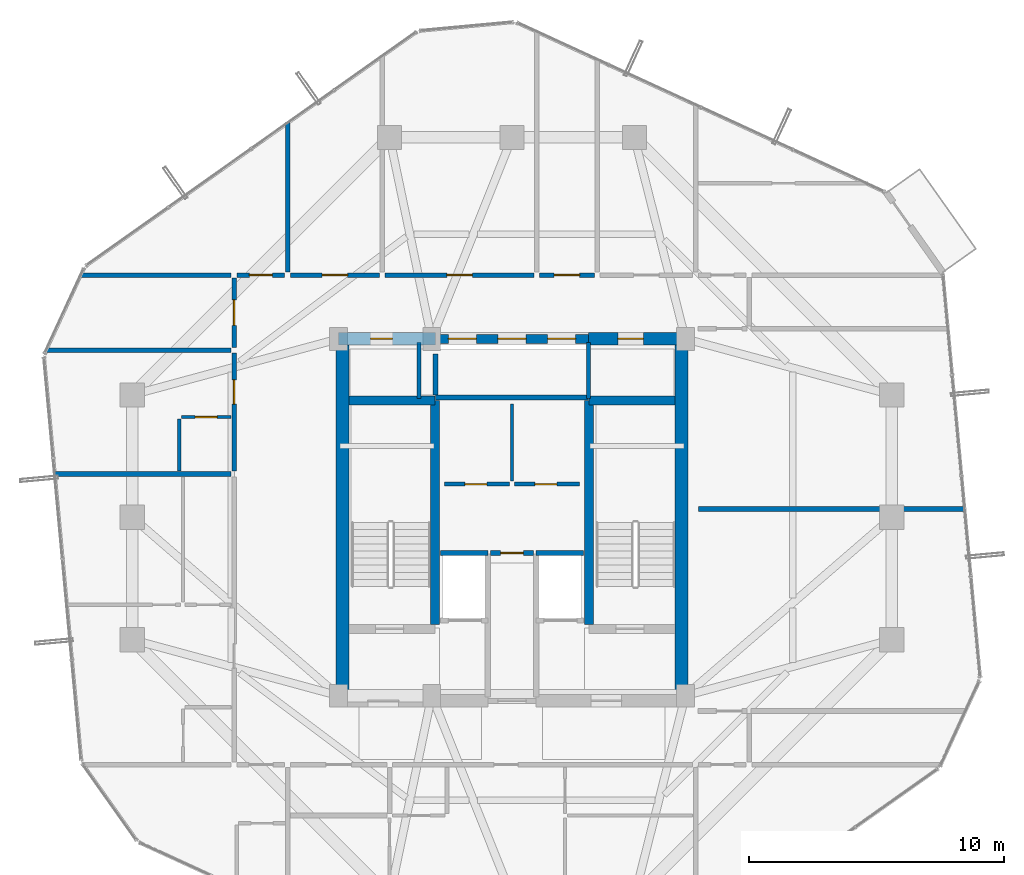
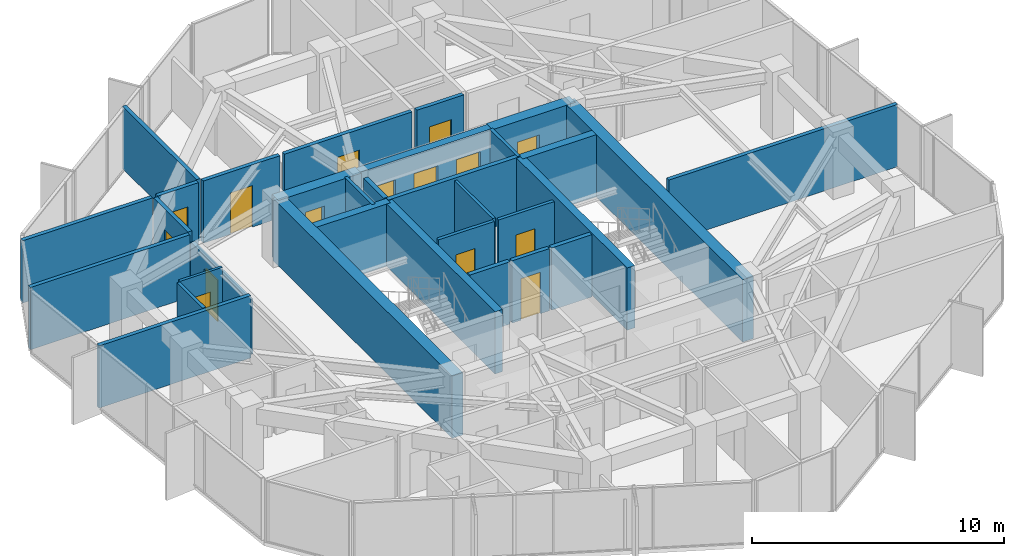
# One storey, part 29 of 32: 32 walls, 15 doors, 15 openings.
"""IFC4 building model written with IfcOpenShell, lengths in metres."""

from ifc_helpers import new_model, si_unit, direction, frame, frame_2d, origin, place, context, subcontext, project, spatial, rectangle, extrude, source, transform, mapped, material, layer, layer_set, type_object, element, fill, save


model = new_model("IFC4")

# Units and contexts
model_context = context("Model", 3, precision=1e-05, world=origin(), true_north=direction((0.0, 1.0)))
body_context = subcontext(model_context, "Body", "Model", "MODEL_VIEW")
ifc_project = project(units=[si_unit("LENGTHUNIT", "METRE"), si_unit("AREAUNIT", "SQUARE_METRE"), si_unit("VOLUMEUNIT", "CUBIC_METRE"), si_unit("PLANEANGLEUNIT", "RADIAN"), si_unit("MASSUNIT", "GRAM", prefix="KILO")], contexts=[model_context])

# Site, building, storey
site_placement = place(None, origin())
site = spatial("IfcSite", under=ifc_project, at=site_placement, CompositionType="ELEMENT")
building_placement = place(site_placement, origin())
building = spatial("IfcBuilding", under=site, at=building_placement, Name="Veraguas Prism Commons", CompositionType="ELEMENT")
storey_placement = place(building_placement, frame((0.0, 0.0, 188.60009765625)))
storey = spatial("IfcBuildingStorey", under=building, at=storey_placement, Name="L53", CompositionType="ELEMENT", Elevation=188.60009765625)

# Wall, openings, doors
ifc_material_1 = material(Name="Concrete C50/60", Category="concrete")
ifc_layer_1 = layer(ifc_material_1, 0.35009765625, Name="Core Internal Shear Wall Upper RC 350", Category="concrete")
ifc_layer_set_1 = layer_set([ifc_layer_1], Name="Concrete C50/60")
wall_type_1 = type_object("IfcWallType", Name="Core Internal Shear Wall Upper RC 350", PredefinedType="SHEAR", material=ifc_layer_set_1)
wall_1_placement = place(storey_placement, frame((21.0, 31.0, 0.0), z_axis=(0.0, 0.0, 1.0), x_axis=(1.0, 0.0, 0.0)))
wall_1 = element("IfcWall", 1, at=wall_1_placement, inside=storey, type_object=wall_type_1, Name="High-Rise Lift Bank Front Shear Wall L53", PredefinedType="SHEAR", context=body_context, shape_type="SweptSolid", body=[
    extrude(rectangle(XDim=6.0, YDim=0.35009765625, at=frame_2d((3.0, 0.0))), origin(), (0.0, 0.0, 1.0), 3.014892578125),
])
opening_1_placement = place(wall_1_placement, frame((0.5, 0.0, 0.0)))
opening_1 = element("IfcOpeningElement", 2, at=opening_1_placement, cuts=wall_1, Name="Opening LD-01", PredefinedType="OPENING", context=body_context, shape_type="SweptSolid", body=[
    extrude(rectangle(XDim=1.10009765625, YDim=2.080078125, at=frame_2d((0.550048828125, 1.0400390625))), frame((0.0, 0.18505859375, 0.0), z_axis=(0.0, -1.0, 0.0), x_axis=(1.0, 0.0, 0.0)), (0.0, 0.0, 1.0), 0.3701171875),
])
opening_2_placement = place(wall_1_placement, frame((2.449951171875, 0.0, 0.0)))
opening_2 = element("IfcOpeningElement", 3, at=opening_2_placement, cuts=wall_1, Name="Opening LD-01", PredefinedType="OPENING", context=body_context, shape_type="SweptSolid", body=[
    extrude(rectangle(XDim=1.10009765625, YDim=2.080078125, at=frame_2d((0.550048828125, 1.0400390625))), frame((0.0, 0.18505859375, 0.0), z_axis=(0.0, -1.0, 0.0), x_axis=(1.0, 0.0, 0.0)), (0.0, 0.0, 1.0), 0.3701171875),
])
opening_3_placement = place(wall_1_placement, frame((4.39990234375, 0.0, 0.0)))
opening_3 = element("IfcOpeningElement", 4, at=opening_3_placement, cuts=wall_1, Name="Opening LD-01", PredefinedType="OPENING", context=body_context, shape_type="SweptSolid", body=[
    extrude(rectangle(XDim=1.10009765625, YDim=2.080078125, at=frame_2d((0.550048828125, 1.0400390625))), frame((0.0, 0.18505859375, 0.0), z_axis=(0.0, -1.0, 0.0), x_axis=(1.0, 0.0, 0.0)), (0.0, 0.0, 1.0), 0.3701171875),
])
ifc_material_2 = material(Name="Stainless steel AISI 316", Category="steel")
door_type_1 = type_object("IfcDoorType", Name="Passenger Lift Sliding Landing Door 1100x2080", OperationType="NOTDEFINED", PredefinedType="DOOR", material=ifc_material_2)
shared_shape_1 = source(origin(), body_context, "Body", "SweptSolid", [
    extrude(rectangle(XDim=1.10009765625, YDim=2.080078125, at=frame_2d((0.550048828125, 1.0400390625))), frame((0.0, 0.02490234375, 0.0), z_axis=(0.0, -1.0, 0.0), x_axis=(1.0, 0.0, 0.0)), (0.0, 0.0, 1.0), 0.050048828125),
])
door_1_placement = place(opening_1_placement, origin())
door_1 = element("IfcDoor", 5, at=door_1_placement, inside=storey, type_object=door_type_1, Name="Sliding Landing Door PL-H1 L53", OperationType="SLIDING_TO_LEFT", OverallHeight=2.080078125, OverallWidth=1.10009765625, PredefinedType="DOOR", context=body_context, shape_type="MappedRepresentation", body=[
    mapped(shared_shape_1, transform((0.0, 0.0, 0.0), scale=1.0)),
])
fill(opening_1, door_1)
door_2_placement = place(opening_2_placement, origin())
door_2 = element("IfcDoor", 6, at=door_2_placement, inside=storey, type_object=door_type_1, Name="Sliding Landing Door PL-H2 L53", OperationType="SLIDING_TO_LEFT", OverallHeight=2.080078125, OverallWidth=1.10009765625, PredefinedType="DOOR", context=body_context, shape_type="MappedRepresentation", body=[
    mapped(shared_shape_1, transform((0.0, 0.0, 0.0), scale=1.0)),
])
fill(opening_2, door_2)
door_3_placement = place(opening_3_placement, origin())
door_3 = element("IfcDoor", 7, at=door_3_placement, inside=storey, type_object=door_type_1, Name="Sliding Landing Door PL-H3 L53", OperationType="SLIDING_TO_LEFT", OverallHeight=2.080078125, OverallWidth=1.10009765625, PredefinedType="DOOR", context=body_context, shape_type="MappedRepresentation", body=[
    mapped(shared_shape_1, transform((0.0, 0.0, 0.0), scale=1.0)),
])
fill(opening_3, door_3)

# Walls
for number, where, z_axis, x_axis, name in (
    (8, (20.97509765625, 19.800048828125, 0.0), (0.0, 0.0, 1.0), (0.0, 1.0, 0.0), "Stair ST-01 Inner Shear Wall L53"),
    (9, (27.02490234375, 19.800048828125, 0.0), (0.0, 0.0, 1.0), (0.0, 1.0, 0.0), "Stair ST-02 Inner Shear Wall L53"),
):
    element("IfcWall", number, at=place(storey_placement, frame(where, z_axis=z_axis, x_axis=x_axis)), inside=storey, type_object=wall_type_1, Name=name, PredefinedType="SHEAR", context=body_context, shape_type="SweptSolid", body=[
        extrude(rectangle(XDim=8.77490234375, YDim=0.35009765625, at=frame_2d((4.387451171875, 0.0))), origin(), (0.0, 0.0, 1.0), 3.014892578125),
    ])
for number, where, z_axis, x_axis, name in (
    (10, (17.60009765625, 28.574951171875, 0.0), (0.0, 0.0, 1.0), (1.0, 0.0, 0.0), "Stair ST-01 North Shear Wall L53"),
    (11, (27.02490234375, 28.574951171875, 0.0), (0.0, 0.0, 1.0), (1.0, 0.0, 0.0), "Stair ST-02 North Shear Wall L53"),
):
    element("IfcWall", number, at=place(storey_placement, frame(where, z_axis=z_axis, x_axis=x_axis)), inside=storey, type_object=wall_type_1, Name=name, PredefinedType="SHEAR", context=body_context, shape_type="SweptSolid", body=[
        extrude(rectangle(XDim=3.375, YDim=0.35009765625, at=frame_2d((1.6875, 0.0))), origin(), (0.0, 0.0, 1.0), 3.014892578125),
    ])
ifc_layer_2 = layer(ifc_material_1, 0.5, Name="Core Outer Shear Wall Upper RC 500", Category="concrete")
ifc_layer_set_2 = layer_set([ifc_layer_2], Name="Concrete C50/60")
wall_type_2 = type_object("IfcWallType", Name="Core Outer Shear Wall Upper RC 500", PredefinedType="SHEAR", material=ifc_layer_set_2)
for number, where, z_axis, x_axis, name in (
    (12, (17.35009765625, 16.800048828125, 0.0), (0.0, 0.0, 1.0), (0.0, 1.0, 0.0), "Central Core West Shear Wall L53"),
    (13, (30.64990234375, 16.800048828125, 0.0), (0.0, 0.0, 1.0), (0.0, 1.0, 0.0), "Central Core East Shear Wall L53"),
):
    element("IfcWall", number, at=place(storey_placement, frame(where, z_axis=z_axis, x_axis=x_axis)), inside=storey, type_object=wall_type_2, Name=name, PredefinedType="SHEAR", context=body_context, shape_type="SweptSolid", body=[
        extrude(rectangle(XDim=14.199951171875, YDim=0.5, at=frame_2d((7.10009765625, 0.0))), origin(), (0.0, 0.0, 1.0), 3.014892578125),
    ])

# Wall, opening, door
wall_2_placement = place(storey_placement, frame((17.199951171875, 31.0, 0.0), z_axis=(0.0, 0.0, 1.0), x_axis=(1.0, 0.0, 0.0)))
wall_2 = element("IfcWall", 14, at=wall_2_placement, inside=storey, type_object=wall_type_2, Name="Central Core North-West Shear Wall L53", PredefinedType="SHEAR", context=body_context, shape_type="SweptSolid", body=[
    extrude(rectangle(XDim=3.800048828125, YDim=0.5, at=frame_2d((1.89990234375, 0.0))), origin(), (0.0, 0.0, 1.0), 3.014892578125),
])
opening_4_placement = place(wall_2_placement, frame((1.25, 0.0, 0.0)))
opening_4 = element("IfcOpeningElement", 15, at=opening_4_placement, cuts=wall_2, Name="Opening DR-12", PredefinedType="OPENING", context=body_context, shape_type="SweptSolid", body=[
    extrude(rectangle(XDim=0.860107421875, YDim=2.010009765625, at=frame_2d((0.43017578125, 1.0048828125))), frame((0.0, 0.260009765625, 0.0), z_axis=(0.0, -1.0, 0.0), x_axis=(1.0, 0.0, 0.0)), (0.0, 0.0, 1.0), 0.52001953125),
])
ifc_material_3 = material(Name="Steel fire-rated door assembly", Category="steel")
door_type_2 = type_object("IfcDoorType", Name="Core WC Fire Door 860x2010", OperationType="NOTDEFINED", PredefinedType="DOOR", material=ifc_material_3)
shared_shape_2 = source(origin(), body_context, "Body", "SweptSolid", [
    extrude(rectangle(XDim=0.860107421875, YDim=2.010009765625, at=frame_2d((0.43017578125, 1.0048828125))), frame((0.0, 0.02490234375, 0.0), z_axis=(0.0, -1.0, 0.0), x_axis=(1.0, 0.0, 0.0)), (0.0, 0.0, 1.0), 0.050048828125),
])
door_4_placement = place(opening_4_placement, origin())
door_4 = element("IfcDoor", 16, at=door_4_placement, inside=storey, type_object=door_type_2, Name="Core NW Service Door L53", OperationType="SINGLE_SWING_RIGHT", OverallHeight=2.010009765625, OverallWidth=0.860107421875, PredefinedType="DOOR", context=body_context, shape_type="MappedRepresentation", body=[
    mapped(shared_shape_2, transform((0.0, 0.0, 0.0), scale=1.0)),
])
fill(opening_4, door_4)

wall_3_placement = place(storey_placement, frame((27.0, 31.0, 0.0), z_axis=(0.0, 0.0, 1.0), x_axis=(1.0, 0.0, 0.0)))
wall_3 = element("IfcWall", 17, at=wall_3_placement, inside=storey, type_object=wall_type_2, Name="Central Core North-East Shear Wall L53", PredefinedType="SHEAR", context=body_context, shape_type="SweptSolid", body=[
    extrude(rectangle(XDim=3.800048828125, YDim=0.5, at=frame_2d((1.89990234375, 0.0))), origin(), (0.0, 0.0, 1.0), 3.014892578125),
])
opening_5_placement = place(wall_3_placement, frame((1.14990234375, 0.0, 0.0)))
opening_5 = element("IfcOpeningElement", 18, at=opening_5_placement, cuts=wall_3, Name="Opening DR-13", PredefinedType="OPENING", context=body_context, shape_type="SweptSolid", body=[
    extrude(rectangle(XDim=1.0, YDim=2.010009765625, at=frame_2d((0.5, 1.0048828125))), frame((0.0, 0.260009765625, 0.0), z_axis=(0.0, -1.0, 0.0), x_axis=(1.0, 0.0, 0.0)), (0.0, 0.0, 1.0), 0.52001953125),
])
door_type_3 = type_object("IfcDoorType", Name="Core Accessible WC and Clinic Fire Door 1000x2010", OperationType="NOTDEFINED", PredefinedType="DOOR", material=ifc_material_3)
shared_shape_3 = source(origin(), body_context, "Body", "SweptSolid", [
    extrude(rectangle(XDim=1.0, YDim=2.010009765625, at=frame_2d((0.5, 1.0048828125))), frame((0.0, 0.02490234375, 0.0), z_axis=(0.0, -1.0, 0.0), x_axis=(1.0, 0.0, 0.0)), (0.0, 0.0, 1.0), 0.050048828125),
])
door_5_placement = place(opening_5_placement, origin())
door_5 = element("IfcDoor", 19, at=door_5_placement, inside=storey, type_object=door_type_3, Name="Core NE Pantry Door L53", OperationType="SINGLE_SWING_LEFT", OverallHeight=2.010009765625, OverallWidth=1.0, PredefinedType="DOOR", context=body_context, shape_type="MappedRepresentation", body=[
    mapped(shared_shape_3, transform((0.0, 0.0, 0.0), scale=1.0)),
])
fill(opening_5, door_5)

ifc_material_4 = material(Name="Autoclaved aerated masonry block 10 MPa", Category="masonry")
ifc_layer_3 = layer(ifc_material_4, 0.179931640625, Name="Corridor and Inter-Tenancy Partition 180", Category="masonry")
ifc_layer_set_3 = layer_set([ifc_layer_3], Name="Autoclaved aerated masonry block 10 MPa")
wall_type_3 = type_object("IfcWallType", Name="Corridor and Inter-Tenancy Partition 180", PredefinedType="PARTITIONING", material=ifc_layer_set_3)
wall_4_placement = place(storey_placement, frame((23.14990234375, 22.60009765625, 0.0), z_axis=(0.0, 0.0, 1.0), x_axis=(1.0, 0.0, 0.0)))
wall_4 = element("IfcWall", 20, at=wall_4_placement, inside=storey, type_object=wall_type_3, Name="Core Suite Entry Wall L53", PredefinedType="PARTITIONING", context=body_context, shape_type="SweptSolid", body=[
    extrude(rectangle(XDim=1.7001953125, YDim=0.179931640625, at=frame_2d((0.85009765625, 0.0))), origin(), (0.0, 0.0, 1.0), 3.014892578125),
])
opening_6_placement = place(wall_4_placement, frame((0.39990234375, 0.0, 0.0)))
opening_6 = element("IfcOpeningElement", 21, at=opening_6_placement, cuts=wall_4, Name="Opening DR-14", PredefinedType="OPENING", context=body_context, shape_type="SweptSolid", body=[
    extrude(rectangle(XDim=0.89990234375, YDim=2.010009765625, at=frame_2d((0.449951171875, 1.0048828125))), frame((0.0, 0.099853515625, 0.0), z_axis=(0.0, -1.0, 0.0), x_axis=(1.0, 0.0, 0.0)), (0.0, 0.0, 1.0), 0.199951171875),
])
door_type_4 = type_object("IfcDoorType", Name="Core Service Room Fire Door 900x2010", OperationType="NOTDEFINED", PredefinedType="DOOR", material=ifc_material_3)
shared_shape_4 = source(origin(), body_context, "Body", "SweptSolid", [
    extrude(rectangle(XDim=0.89990234375, YDim=2.010009765625, at=frame_2d((0.449951171875, 1.0048828125))), frame((0.0, 0.02490234375, 0.0), z_axis=(0.0, -1.0, 0.0), x_axis=(1.0, 0.0, 0.0)), (0.0, 0.0, 1.0), 0.050048828125),
])
door_6_placement = place(opening_6_placement, origin())
door_6 = element("IfcDoor", 22, at=door_6_placement, inside=storey, type_object=door_type_4, Name="Core Suite Entry Door L53", OperationType="SINGLE_SWING_RIGHT", OverallHeight=2.010009765625, OverallWidth=0.89990234375, PredefinedType="DOOR", context=body_context, shape_type="MappedRepresentation", body=[
    mapped(shared_shape_4, transform((0.0, 0.0, 0.0), scale=1.0)),
])
fill(opening_6, door_6)

# Wall
wall_5_placement = place(storey_placement, frame((15.199951171875, 33.6201171875, 0.0), z_axis=(0.0, 0.0, 1.0), x_axis=(0.0, 1.0, 0.0)))
element("IfcWall", 23, at=wall_5_placement, inside=storey, type_object=wall_type_3, Name="WL-L53-PT013", PredefinedType="PARTITIONING", context=body_context, shape_type="SweptSolid", body=[
    extrude(rectangle(XDim=5.88525390625, YDim=0.179931640625, at=frame_2d((2.942626953125, 0.0))), origin(), (0.0, 0.0, 1.0), 3.014892578125),
])

# Wall, opening, door
wall_6_placement = place(storey_placement, frame((15.31005859375, 33.5, 0.0), z_axis=(0.0, 0.0, 1.0), x_axis=(1.0, 0.0, 0.0)))
wall_6 = element("IfcWall", 24, at=wall_6_placement, inside=storey, type_object=wall_type_3, Name="WL-L53-PT015", PredefinedType="PARTITIONING", context=body_context, shape_type="SweptSolid", body=[
    extrude(rectangle(XDim=3.492919921875, YDim=0.179931640625, at=frame_2d((1.74658203125, 0.0))), origin(), (0.0, 0.0, 1.0), 3.014892578125),
])
opening_7_placement = place(wall_6_placement, frame((1.24658203125, 0.0, 0.0)))
opening_7 = element("IfcOpeningElement", 25, at=opening_7_placement, cuts=wall_6, Name="Opening DR-13", PredefinedType="OPENING", context=body_context, shape_type="SweptSolid", body=[
    extrude(rectangle(XDim=1.0, YDim=2.010009765625, at=frame_2d((0.5, 1.0048828125))), frame((0.0, 0.099853515625, 0.0), z_axis=(0.0, -1.0, 0.0), x_axis=(1.0, 0.0, 0.0)), (0.0, 0.0, 1.0), 0.199951171875),
])
door_7_placement = place(opening_7_placement, origin())
door_7 = element("IfcDoor", 26, at=door_7_placement, inside=storey, type_object=door_type_3, Name="Residents Study Room Door", OperationType="SINGLE_SWING_LEFT", OverallHeight=2.010009765625, OverallWidth=1.0, PredefinedType="DOOR", context=body_context, shape_type="MappedRepresentation", body=[
    mapped(shared_shape_3, transform((0.0, 0.0, 0.0), scale=1.0)),
])
fill(opening_7, door_7)

wall_7_placement = place(storey_placement, frame((19.02294921875, 33.5, 0.0), z_axis=(0.0, 0.0, 1.0), x_axis=(1.0, 0.0, 0.0)))
wall_7 = element("IfcWall", 27, at=wall_7_placement, inside=storey, type_object=wall_type_3, Name="WL-L53-PT016", PredefinedType="PARTITIONING", context=body_context, shape_type="SweptSolid", body=[
    extrude(rectangle(XDim=5.837158203125, YDim=0.179931640625, at=frame_2d((2.91845703125, 0.0))), origin(), (0.0, 0.0, 1.0), 3.014892578125),
])
opening_8_placement = place(wall_7_placement, frame((2.41845703125, 0.0, 0.0)))
opening_8 = element("IfcOpeningElement", 28, at=opening_8_placement, cuts=wall_7, Name="Opening DR-13", PredefinedType="OPENING", context=body_context, shape_type="SweptSolid", body=[
    extrude(rectangle(XDim=1.0, YDim=2.010009765625, at=frame_2d((0.5, 1.0048828125))), frame((0.0, 0.099853515625, 0.0), z_axis=(0.0, -1.0, 0.0), x_axis=(1.0, 0.0, 0.0)), (0.0, 0.0, 1.0), 0.199951171875),
])
door_8_placement = place(opening_8_placement, origin())
door_8 = element("IfcDoor", 29, at=door_8_placement, inside=storey, type_object=door_type_3, Name="Co-op Store N Door", OperationType="SINGLE_SWING_RIGHT", OverallHeight=2.010009765625, OverallWidth=1.0, PredefinedType="DOOR", context=body_context, shape_type="MappedRepresentation", body=[
    mapped(shared_shape_3, transform((0.0, 0.0, 0.0), scale=1.0)),
])
fill(opening_8, door_8)

wall_8_placement = place(storey_placement, frame((25.080078125, 33.5, 0.0), z_axis=(0.0, 0.0, 1.0), x_axis=(1.0, 0.0, 0.0)))
wall_8 = element("IfcWall", 30, at=wall_8_placement, inside=storey, type_object=wall_type_3, Name="WL-L53-PT019", PredefinedType="PARTITIONING", context=body_context, shape_type="SweptSolid", body=[
    extrude(rectangle(XDim=2.14697265625, YDim=0.179931640625, at=frame_2d((1.073486328125, 0.0))), origin(), (0.0, 0.0, 1.0), 3.014892578125),
])
opening_9_placement = place(wall_8_placement, frame((0.573486328125, 0.0, 0.0)))
opening_9 = element("IfcOpeningElement", 31, at=opening_9_placement, cuts=wall_8, Name="Opening DR-13", PredefinedType="OPENING", context=body_context, shape_type="SweptSolid", body=[
    extrude(rectangle(XDim=1.0, YDim=2.010009765625, at=frame_2d((0.5, 1.0048828125))), frame((0.0, 0.099853515625, 0.0), z_axis=(0.0, -1.0, 0.0), x_axis=(1.0, 0.0, 0.0)), (0.0, 0.0, 1.0), 0.199951171875),
])
door_9_placement = place(opening_9_placement, origin())
door_9 = element("IfcDoor", 32, at=door_9_placement, inside=storey, type_object=door_type_3, Name="Shared Laundry Room Door", OperationType="SINGLE_SWING_LEFT", OverallHeight=2.010009765625, OverallWidth=1.0, PredefinedType="DOOR", context=body_context, shape_type="MappedRepresentation", body=[
    mapped(shared_shape_3, transform((0.0, 0.0, 0.0), scale=1.0)),
])
fill(opening_9, door_9)

# Walls
wall_9_placement = place(storey_placement, frame((12.97998046875, 33.5, 0.0), z_axis=(0.0, 0.0, 1.0), x_axis=(-1.0, 0.0, 0.0)))
element("IfcWall", 33, at=wall_9_placement, inside=storey, type_object=wall_type_3, Name="WL-L53-PT023", PredefinedType="PARTITIONING", context=body_context, shape_type="SweptSolid", body=[
    extrude(rectangle(XDim=5.93408203125, YDim=0.179931640625, at=frame_2d((2.967041015625, 0.0))), origin(), (0.0, 0.0, 1.0), 3.014892578125),
])
wall_10_placement = place(storey_placement, frame((12.97998046875, 25.696044921875, 0.0), z_axis=(0.0, 0.0, 1.0), x_axis=(-1.0, 0.0, 0.0)))
element("IfcWall", 34, at=wall_10_placement, inside=storey, type_object=wall_type_3, Name="WL-L53-PT030", PredefinedType="PARTITIONING", context=body_context, shape_type="SweptSolid", body=[
    extrude(rectangle(XDim=6.95263671875, YDim=0.179931640625, at=frame_2d((3.476318359375, 0.0))), origin(), (0.0, 0.0, 1.0), 3.014892578125),
])

# Wall, opening, door
wall_11_placement = place(storey_placement, frame((13.10009765625, 30.659912109375, 0.0), z_axis=(0.0, 0.0, 1.0), x_axis=(0.0, 1.0, 0.0)))
wall_11 = element("IfcWall", 35, at=wall_11_placement, inside=storey, type_object=wall_type_3, Name="WL-L53-PT031", PredefinedType="PARTITIONING", context=body_context, shape_type="SweptSolid", body=[
    extrude(rectangle(XDim=2.72998046875, YDim=0.179931640625, at=frame_2d((1.364990234375, 0.0))), origin(), (0.0, 0.0, 1.0), 3.014892578125),
])
opening_10_placement = place(wall_11_placement, frame((0.864990234375, 0.0, 0.0)))
opening_10 = element("IfcOpeningElement", 36, at=opening_10_placement, cuts=wall_11, Name="Opening DR-13", PredefinedType="OPENING", context=body_context, shape_type="SweptSolid", body=[
    extrude(rectangle(XDim=1.0, YDim=2.010009765625, at=frame_2d((0.5, 1.0048828125))), frame((0.0, 0.099853515625, 0.0), z_axis=(0.0, -1.0, 0.0), x_axis=(1.0, 0.0, 0.0)), (0.0, 0.0, 1.0), 0.199951171875),
])
door_10_placement = place(opening_10_placement, origin())
door_10 = element("IfcDoor", 37, at=door_10_placement, inside=storey, type_object=door_type_3, Name="Quiet Study W Door", OperationType="SINGLE_SWING_LEFT", OverallHeight=2.010009765625, OverallWidth=1.0, PredefinedType="DOOR", context=body_context, shape_type="MappedRepresentation", body=[
    mapped(shared_shape_3, transform((0.0, 0.0, 0.0), scale=1.0)),
])
fill(opening_10, door_10)

# Wall
wall_12_placement = place(storey_placement, frame((12.97998046875, 30.550048828125, 0.0), z_axis=(0.0, 0.0, 1.0), x_axis=(-1.0, 0.0, 0.0)))
element("IfcWall", 38, at=wall_12_placement, inside=storey, type_object=wall_type_3, Name="WL-L53-PT032", PredefinedType="PARTITIONING", context=body_context, shape_type="SweptSolid", body=[
    extrude(rectangle(XDim=7.2919921875, YDim=0.179931640625, at=frame_2d((3.64599609375, 0.0))), origin(), (0.0, 0.0, 1.0), 3.014892578125),
])

# Wall, opening, door
wall_13_placement = place(storey_placement, frame((13.10009765625, 25.805908203125, 0.0), z_axis=(0.0, 0.0, 1.0), x_axis=(0.0, 1.0, 0.0)))
wall_13 = element("IfcWall", 39, at=wall_13_placement, inside=storey, type_object=wall_type_3, Name="WL-L53-PT033", PredefinedType="PARTITIONING", context=body_context, shape_type="SweptSolid", body=[
    extrude(rectangle(XDim=4.634033203125, YDim=0.179931640625, at=frame_2d((2.31689453125, 0.0))), origin(), (0.0, 0.0, 1.0), 2.661865234375),
])
opening_11_placement = place(wall_13_placement, frame((2.630126953125, 0.0, 0.0)))
opening_11 = element("IfcOpeningElement", 40, at=opening_11_placement, cuts=wall_13, Name="Opening DR-01", PredefinedType="OPENING", context=body_context, shape_type="SweptSolid", body=[
    extrude(rectangle(XDim=0.949951171875, YDim=2.02001953125, at=frame_2d((0.47509765625, 1.010009765625))), frame((0.0, 0.099853515625, 0.0), z_axis=(0.0, -1.0, 0.0), x_axis=(1.0, 0.0, 0.0)), (0.0, 0.0, 1.0), 0.199951171875),
])
ifc_material_5 = material(Name="Anodised aluminium EN AW-6063 T6", Category="aluminium")
door_type_5 = type_object("IfcDoorType", Name="Apartment Entrance Fire Door 950x2020", OperationType="NOTDEFINED", PredefinedType="DOOR", material=ifc_material_5)
shared_shape_5 = source(origin(), body_context, "Body", "SweptSolid", [
    extrude(rectangle(XDim=0.949951171875, YDim=2.02001953125, at=frame_2d((0.47509765625, 1.010009765625))), frame((0.0, 0.02490234375, 0.0), z_axis=(0.0, -1.0, 0.0), x_axis=(1.0, 0.0, 0.0)), (0.0, 0.0, 1.0), 0.050048828125),
])
door_11_placement = place(opening_11_placement, origin())
door_11 = element("IfcDoor", 41, at=door_11_placement, inside=storey, type_object=door_type_5, Name="Studio 53C Entrance Door", OperationType="SINGLE_SWING_RIGHT", OverallHeight=2.02001953125, OverallWidth=0.949951171875, PredefinedType="DOOR", context=body_context, shape_type="MappedRepresentation", body=[
    mapped(shared_shape_5, transform((0.0, 0.0, 0.0), scale=1.0)),
])
fill(opening_11, door_11)

# Wall
wall_14_placement = place(storey_placement, frame((31.320068359375, 24.324951171875, 0.0), z_axis=(0.0, 0.0, 1.0), x_axis=(1.0, 0.0, 0.0)))
element("IfcWall", 42, at=wall_14_placement, inside=storey, type_object=wall_type_3, Name="WL-L53-PT036", PredefinedType="PARTITIONING", context=body_context, shape_type="SweptSolid", body=[
    extrude(rectangle(XDim=10.4658203125, YDim=0.179931640625, at=frame_2d((5.23291015625, 0.0))), origin(), (0.0, 0.0, 1.0), 3.014892578125),
])

# Wall, opening, door
wall_15_placement = place(storey_placement, frame((13.219970703125, 33.5, 0.0), z_axis=(0.0, 0.0, 1.0), x_axis=(1.0, 0.0, 0.0)))
wall_15 = element("IfcWall", 43, at=wall_15_placement, inside=storey, type_object=wall_type_3, Name="WL-L53-PT049", PredefinedType="PARTITIONING", context=body_context, shape_type="SweptSolid", body=[
    extrude(rectangle(XDim=1.860107421875, YDim=0.179931640625, at=frame_2d((0.93017578125, 0.0))), origin(), (0.0, 0.0, 1.0), 3.014892578125),
])
opening_12_placement = place(wall_15_placement, frame((0.47998046875, 0.0, 0.0)))
opening_12 = element("IfcOpeningElement", 44, at=opening_12_placement, cuts=wall_15, Name="Opening DR-14", PredefinedType="OPENING", context=body_context, shape_type="SweptSolid", body=[
    extrude(rectangle(XDim=0.89990234375, YDim=2.010009765625, at=frame_2d((0.449951171875, 1.0048828125))), frame((0.0, 0.099853515625, 0.0), z_axis=(0.0, -1.0, 0.0), x_axis=(1.0, 0.0, 0.0)), (0.0, 0.0, 1.0), 0.199951171875),
])
door_12_placement = place(opening_12_placement, origin())
door_12 = element("IfcDoor", 45, at=door_12_placement, inside=storey, type_object=door_type_4, Name="Shared Laundry Room NW Door", OperationType="SINGLE_SWING_LEFT", OverallHeight=2.010009765625, OverallWidth=0.89990234375, PredefinedType="DOOR", context=body_context, shape_type="MappedRepresentation", body=[
    mapped(shared_shape_4, transform((0.0, 0.0, 0.0), scale=1.0)),
])
fill(opening_12, door_12)

# Wall
ifc_material_6 = material(Name="Lightweight acoustic gypsum board")
ifc_layer_4 = layer(ifc_material_6, 0.125, Name="Internal Apartment Room Partition 125")
ifc_layer_set_4 = layer_set([ifc_layer_4], Name="Lightweight acoustic gypsum board")
wall_type_4 = type_object("IfcWallType", Name="Internal Apartment Room Partition 125", PredefinedType="PARTITIONING", material=ifc_layer_set_4)
wall_16_placement = place(storey_placement, frame((24.0, 25.419921875, 0.0), z_axis=(0.0, 0.0, 1.0), x_axis=(0.0, 1.0, 0.0)))
element("IfcWall", 46, at=wall_16_placement, inside=storey, type_object=wall_type_4, Name="WL-L53-FRWVM", PredefinedType="PARTITIONING", context=body_context, shape_type="SweptSolid", body=[
    extrude(rectangle(XDim=3.030029296875, YDim=0.125, at=frame_2d((1.51513671875, 0.0))), origin(), (0.0, 0.0, 1.0), 3.014892578125),
])

# Wall, opening, door
wall_17_placement = place(storey_placement, frame((12.97998046875, 27.928955078125, 0.0), z_axis=(0.0, 0.0, 1.0), x_axis=(-1.0, 0.0, 0.0)))
wall_17 = element("IfcWall", 47, at=wall_17_placement, inside=storey, type_object=wall_type_4, Name="WL-L53-PT034", PredefinedType="PARTITIONING", context=body_context, shape_type="SweptSolid", body=[
    extrude(rectangle(XDim=1.949951171875, YDim=0.125, at=frame_2d((0.97509765625, 0.0))), origin(), (0.0, 0.0, 1.0), 3.014892578125),
])
opening_13_placement = place(wall_17_placement, frame((0.544921875, 0.0, 0.0)))
opening_13 = element("IfcOpeningElement", 48, at=opening_13_placement, cuts=wall_17, Name="Opening DR-03", PredefinedType="OPENING", context=body_context, shape_type="SweptSolid", body=[
    extrude(rectangle(XDim=0.860107421875, YDim=2.010009765625, at=frame_2d((0.43017578125, 1.0048828125))), frame((0.0, 0.072509765625, 0.0), z_axis=(0.0, -1.0, 0.0), x_axis=(1.0, 0.0, 0.0)), (0.0, 0.0, 1.0), 0.14501953125),
])
ifc_material_7 = material(Name="Timber moisture-resistant leaf", Category="wood")
door_type_6 = type_object("IfcDoorType", Name="Internal Bathroom Door 860x2010", OperationType="NOTDEFINED", PredefinedType="DOOR", material=ifc_material_7)
door_13_placement = place(opening_13_placement, origin())
door_13 = element("IfcDoor", 49, at=door_13_placement, inside=storey, type_object=door_type_6, Name="Studio 53C Bathroom Door", OperationType="SINGLE_SWING_LEFT", OverallHeight=2.010009765625, OverallWidth=0.860107421875, PredefinedType="DOOR", context=body_context, shape_type="MappedRepresentation", body=[
    mapped(shared_shape_2, transform((0.0, 0.0, 0.0), scale=1.0)),
])
fill(opening_13, door_13)

# Walls
ifc_layer_5 = layer(ifc_material_4, 0.199951171875, Name="Rated Shaft and Lobby Block Wall 200", Category="masonry")
ifc_layer_set_5 = layer_set([ifc_layer_5], Name="Autoclaved aerated masonry block 10 MPa")
wall_type_5 = type_object("IfcWallType", Name="Rated Shaft and Lobby Block Wall 200", PredefinedType="SOLIDWALL", material=ifc_layer_set_5)
for number, where, z_axis, x_axis, name in (
    (50, (21.199951171875, 22.60009765625, 0.0), (0.0, 0.0, 1.0), (1.0, 0.0, 0.0), "Firefighting Lift FFL-1 Rear Wall L53"),
    (51, (24.949951171875, 22.60009765625, 0.0), (0.0, 0.0, 1.0), (1.0, 0.0, 0.0), "Firefighting Lift FFL-2 Rear Wall L53"),
):
    element("IfcWall", number, at=place(storey_placement, frame(where, z_axis=z_axis, x_axis=x_axis)), inside=storey, type_object=wall_type_5, Name=name, PredefinedType="SOLIDWALL", context=body_context, shape_type="SweptSolid", body=[
        extrude(rectangle(XDim=1.85009765625, YDim=0.199951171875, at=frame_2d((0.925048828125, 0.0))), origin(), (0.0, 0.0, 1.0), 3.014892578125),
    ])
wall_18_placement = place(storey_placement, frame((21.0, 28.699951171875, 0.0), z_axis=(0.0, 0.0, 1.0), x_axis=(1.0, 0.0, 0.0)))
element("IfcWall", 52, at=wall_18_placement, inside=storey, type_object=wall_type_5, Name="High-Rise Lift Bank Rear Shaft Wall L53", PredefinedType="SOLIDWALL", context=body_context, shape_type="SweptSolid", body=[
    extrude(rectangle(XDim=6.0, YDim=0.199951171875, at=frame_2d((3.0, 0.0))), origin(), (0.0, 0.0, 1.0), 3.014892578125),
])
wall_19_placement = place(storey_placement, frame((21.0, 28.800048828125, 0.0), z_axis=(0.0, 0.0, 1.0), x_axis=(0.0, 1.0, 0.0)))
element("IfcWall", 53, at=wall_19_placement, inside=storey, type_object=wall_type_5, Name="High-Rise Lift Bank West Shaft Wall L53", PredefinedType="SOLIDWALL", context=body_context, shape_type="SweptSolid", body=[
    extrude(rectangle(XDim=1.599853515625, YDim=0.199951171875, at=frame_2d((0.7998046875, 0.0))), origin(), (0.0, 0.0, 1.0), 3.014892578125),
])
ifc_layer_6 = layer(ifc_material_6, 0.14990234375, Name="Wet Room and Clinic Acoustic Partition 150")
ifc_layer_set_6 = layer_set([ifc_layer_6], Name="Lightweight acoustic gypsum board")
wall_type_6 = type_object("IfcWallType", Name="Wet Room and Clinic Acoustic Partition 150", PredefinedType="PARTITIONING", material=ifc_layer_set_6)
for number, where, z_axis, x_axis, name in (
    (54, (20.35009765625, 28.64990234375, 0.0), (0.0, 0.0, 1.0), (0.0, 1.0, 0.0), "Core NW Service Inner Wall L53"),
    (55, (27.0, 28.64990234375, 0.0), (0.0, 0.0, 1.0), (0.0, 1.0, 0.0), "Core NE Service Inner Wall L53"),
):
    element("IfcWall", number, at=place(storey_placement, frame(where, z_axis=z_axis, x_axis=x_axis)), inside=storey, type_object=wall_type_6, Name=name, PredefinedType="PARTITIONING", context=body_context, shape_type="SweptSolid", body=[
        extrude(rectangle(XDim=2.2001953125, YDim=0.14990234375, at=frame_2d((1.10009765625, 0.0))), origin(), (0.0, 0.0, 1.0), 3.014892578125),
    ])

# Wall, opening, door
wall_20_placement = place(storey_placement, frame((21.35009765625, 25.300048828125, 0.0), z_axis=(0.0, 0.0, 1.0), x_axis=(1.0, 0.0, 0.0)))
wall_20 = element("IfcWall", 56, at=wall_20_placement, inside=storey, type_object=wall_type_6, Name="WL-L53-FRWH1", PredefinedType="PARTITIONING", context=body_context, shape_type="SweptSolid", body=[
    extrude(rectangle(XDim=2.5498046875, YDim=0.14990234375, at=frame_2d((1.27490234375, 0.0))), origin(), (0.0, 0.0, 1.0), 3.014892578125),
])
opening_14_placement = place(wall_20_placement, frame((0.800048828125, 0.0, 0.0)))
opening_14 = element("IfcOpeningElement", 57, at=opening_14_placement, cuts=wall_20, Name="Opening DR-12", PredefinedType="OPENING", context=body_context, shape_type="SweptSolid", body=[
    extrude(rectangle(XDim=0.860107421875, YDim=2.010009765625, at=frame_2d((0.43017578125, 1.0048828125))), frame((0.0, 0.0849609375, 0.0), z_axis=(0.0, -1.0, 0.0), x_axis=(1.0, 0.0, 0.0)), (0.0, 0.0, 1.0), 0.169921875),
])
door_14_placement = place(opening_14_placement, origin())
door_14 = element("IfcDoor", 58, at=door_14_placement, inside=storey, type_object=door_type_2, Name="Quiet Study Door L53", OperationType="SINGLE_SWING_LEFT", OverallHeight=2.010009765625, OverallWidth=0.860107421875, PredefinedType="DOOR", context=body_context, shape_type="MappedRepresentation", body=[
    mapped(shared_shape_2, transform((0.0, 0.0, 0.0), scale=1.0)),
])
fill(opening_14, door_14)

wall_21_placement = place(storey_placement, frame((24.10009765625, 25.300048828125, 0.0), z_axis=(0.0, 0.0, 1.0), x_axis=(1.0, 0.0, 0.0)))
wall_21 = element("IfcWall", 59, at=wall_21_placement, inside=storey, type_object=wall_type_6, Name="WL-L53-FRWH2", PredefinedType="PARTITIONING", context=body_context, shape_type="SweptSolid", body=[
    extrude(rectangle(XDim=2.5498046875, YDim=0.14990234375, at=frame_2d((1.27490234375, 0.0))), origin(), (0.0, 0.0, 1.0), 3.014892578125),
])
opening_15_placement = place(wall_21_placement, frame((0.800048828125, 0.0, 0.0)))
opening_15 = element("IfcOpeningElement", 60, at=opening_15_placement, cuts=wall_21, Name="Opening DR-12", PredefinedType="OPENING", context=body_context, shape_type="SweptSolid", body=[
    extrude(rectangle(XDim=0.860107421875, YDim=2.010009765625, at=frame_2d((0.43017578125, 1.0048828125))), frame((0.0, 0.0849609375, 0.0), z_axis=(0.0, -1.0, 0.0), x_axis=(1.0, 0.0, 0.0)), (0.0, 0.0, 1.0), 0.169921875),
])
door_15_placement = place(opening_15_placement, origin())
door_15 = element("IfcDoor", 61, at=door_15_placement, inside=storey, type_object=door_type_2, Name="Housekeeping Store Door L53", OperationType="SINGLE_SWING_RIGHT", OverallHeight=2.010009765625, OverallWidth=0.860107421875, PredefinedType="DOOR", context=body_context, shape_type="MappedRepresentation", body=[
    mapped(shared_shape_2, transform((0.0, 0.0, 0.0), scale=1.0)),
])
fill(opening_15, door_15)

# Wall
wall_22_placement = place(storey_placement, frame((10.949951171875, 25.81591796875, 0.0), z_axis=(0.0, 0.0, 1.0), x_axis=(0.0, 1.0, 0.0)))
element("IfcWall", 62, at=wall_22_placement, inside=storey, type_object=wall_type_6, Name="WL-L53-PT035", PredefinedType="PARTITIONING", context=body_context, shape_type="SweptSolid", body=[
    extrude(rectangle(XDim=2.033203125, YDim=0.14990234375, at=frame_2d((1.0166015625, 0.0))), origin(), (0.0, 0.0, 1.0), 3.014892578125),
])

save(model, "model.ifc")
